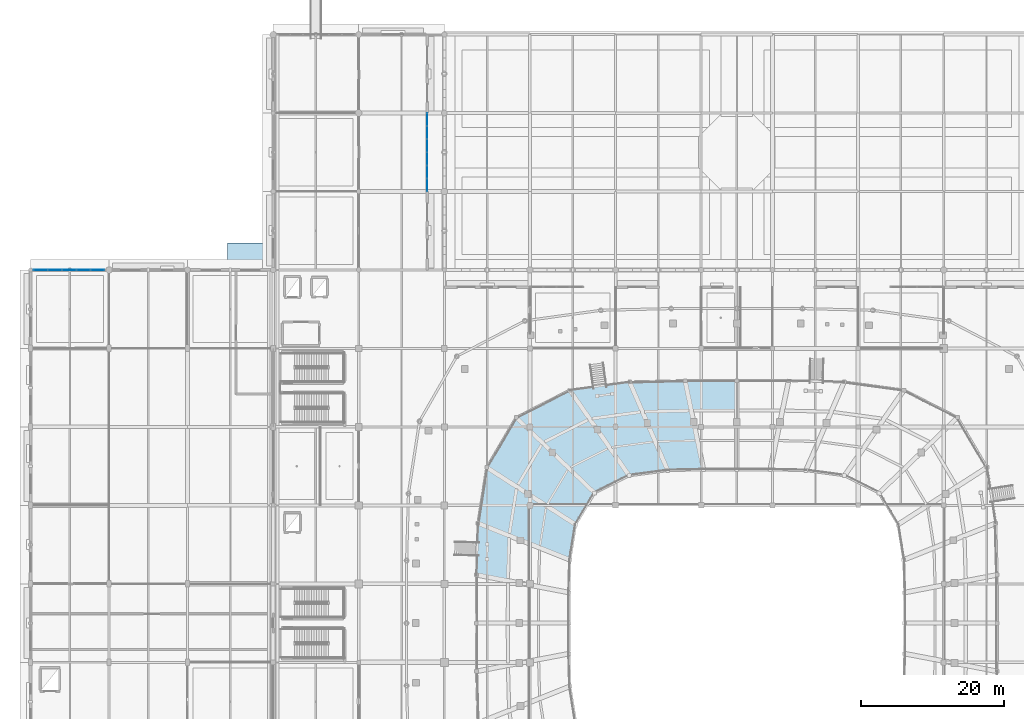
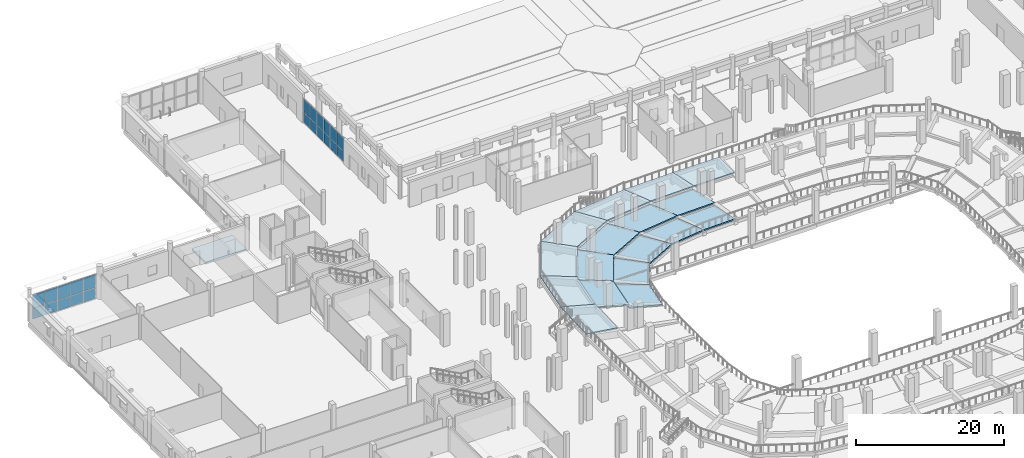
# One storey, part 45 of 120: 22 plates, 18 slabs, 2 elements without a shape of their own.
"""IFC4 building model written with IfcOpenShell, lengths in metres."""

import ifcopenshell
import ifcopenshell.guid

model = None  # the IFC model being written
_history = None  # IfcOwnerHistory: only IFC2X3 demands one
_inside = {}  # id of a spatial element -> (the spatial element, [elements in it])
_under = {}  # id of a project, library or spatial element -> (it, [spatial elements below it])
_declared = {}  # id of a project -> (the project, [libraries it declares])
_typed = {}  # id of a type object -> (the type object, [elements of that type])
_made_of = {}  # id of a material, layer set ... -> (it, [elements and type objects made of it])


def new_model(schema):
    """Start an empty IFC model of exactly this schema.

    Asked for "IFC4X3", IfcOpenShell would pick the latest addendum, in which some entities
    have other attributes; the version numbers below select the first issue.
    IFC2X3 requires an IfcOwnerHistory on every rooted entity: one is made here for all.
    """
    global model, _history
    if schema == "IFC4X3":
        model = ifcopenshell.file(schema_version=(4, 3, 0, 0))
    else:
        model = ifcopenshell.file(schema=schema)
    _inside.clear()
    _under.clear()
    _declared.clear()
    _typed.clear()
    _made_of.clear()
    _history = None
    if model.schema == "IFC2X3":
        org = make("IfcOrganization", Name="unknown")
        user = make(
            "IfcPersonAndOrganization",
            ThePerson=make("IfcPerson", FamilyName="unknown"),
            TheOrganization=org,
        )
        app = make(
            "IfcApplication",
            ApplicationDeveloper=org,
            Version="unknown",
            ApplicationFullName="unknown",
            ApplicationIdentifier="unknown",
        )
        _history = make(
            "IfcOwnerHistory",
            OwningUser=user,
            OwningApplication=app,
            ChangeAction="ADDED",
            CreationDate=0,
        )
    return model


def make(cls, **values):
    """One entity of the class cls with the attributes given. An attribute that is None is left unset."""
    return model.create_entity(
        cls, **{name: value for name, value in values.items() if value is not None}
    )


def rooted(cls, **values):
    """An entity with a GlobalId (a new one), such as an element, a storey or a relation."""
    return make(cls, GlobalId=ifcopenshell.guid.new(), OwnerHistory=_history, **values)


def si_unit(unit_type, name, prefix=None):
    """IfcSIUnit, for example si_unit("LENGTHUNIT", "METRE", prefix="MILLI")."""
    return make("IfcSIUnit", UnitType=unit_type, Prefix=prefix, Name=name)


def assignment(units):
    """IfcUnitAssignment: the units of a project."""
    return None if units is None else make("IfcUnitAssignment", Units=units)


def point(xyz):
    """IfcCartesianPoint."""
    return None if xyz is None else make("IfcCartesianPoint", Coordinates=xyz)


def direction(xyz):
    """IfcDirection."""
    return None if xyz is None else make("IfcDirection", DirectionRatios=xyz)


def frame(location, z_axis=None, x_axis=None):
    """IfcAxis2Placement3D, a coordinate frame: its origin and axes. An axis left out is left unset."""
    return make(
        "IfcAxis2Placement3D",
        Location=point(location),
        Axis=direction(z_axis),
        RefDirection=direction(x_axis),
    )


def frame_2d(location, x_axis=None):
    """IfcAxis2Placement2D, a coordinate frame in the plane: its origin and x axis."""
    return make(
        "IfcAxis2Placement2D", Location=point(location), RefDirection=direction(x_axis)
    )


def origin():
    """The frame at (0, 0, 0) with its axes left unset."""
    return frame((0.0, 0.0, 0.0))


def origin_2d():
    """The frame at (0, 0) in the plane with its x axis left unset."""
    return frame_2d((0.0, 0.0))


def place(relative_to, where):
    """IfcLocalPlacement: puts the frame where relative to a parent placement (None: the world)."""
    return make(
        "IfcLocalPlacement", PlacementRelTo=relative_to, RelativePlacement=where
    )


def context(
    kind, dimensions, precision=None, world=None, true_north=None, identifier=None
):
    """IfcGeometricRepresentationContext, for example the 3D "Model" context."""
    return make(
        "IfcGeometricRepresentationContext",
        ContextIdentifier=identifier,
        ContextType=kind,
        CoordinateSpaceDimension=dimensions,
        Precision=precision,
        WorldCoordinateSystem=world,
        TrueNorth=true_north,
    )


def subcontext(parent, identifier, kind, view, scale=None):
    """IfcGeometricRepresentationSubContext, for example "Body" below "Model"."""
    return make(
        "IfcGeometricRepresentationSubContext",
        ContextIdentifier=identifier,
        ContextType=kind,
        ParentContext=parent,
        TargetScale=scale,
        TargetView=view,
    )


def project(units=None, contexts=None):
    """IfcProject with its units and contexts."""
    return rooted(
        "IfcProject",
        Name="project",
        RepresentationContexts=contexts,
        UnitsInContext=assignment(units),
    )


def spatial(cls, under=None, at=None, **own):
    """A site, building, storey or space (cls), placed at a placement, below another one or the project."""
    s = rooted(cls, ObjectPlacement=at, **own)
    if under is not None:
        _under.setdefault(under.id(), (under, []))[1].append(s)
    return s


def polyline(points):
    """IfcPolyline through the points."""
    return make("IfcPolyline", Points=[point(p) for p in points])


def profile(cls, at=None, kind="AREA", **sizes):
    """A parametric profile (cls). Its sizes go by their IFC names, for example OverallWidth=200.0."""
    return make(cls, ProfileType=kind, Position=at, **sizes)


def rectangle(**sizes):
    """IfcRectangleProfileDef."""
    return profile("IfcRectangleProfileDef", **sizes)


def outline(outer, holes=None, kind="AREA"):
    """IfcArbitraryClosedProfileDef: a profile drawn as a closed curve; with holes, ...WithVoids."""
    if holes is None:
        return make("IfcArbitraryClosedProfileDef", ProfileType=kind, OuterCurve=outer)
    return make(
        "IfcArbitraryProfileDefWithVoids",
        ProfileType=kind,
        OuterCurve=outer,
        InnerCurves=holes,
    )


def extrude(swept, where, along, depth):
    """IfcExtrudedAreaSolid: the profile swept, set in the frame where, extruded along a direction by depth."""
    return make(
        "IfcExtrudedAreaSolid",
        SweptArea=swept,
        Position=where,
        ExtrudedDirection=direction(along),
        Depth=depth,
    )


def shape(context_of_items, identifier, shape_type, items):
    """IfcShapeRepresentation: the items that make up one representation, for example the "Body"."""
    return make(
        "IfcShapeRepresentation",
        ContextOfItems=context_of_items,
        RepresentationIdentifier=identifier,
        RepresentationType=shape_type,
        Items=items,
    )


def material(Name=None, Category=None):
    """IfcMaterial."""
    return make("IfcMaterial", Name=Name, Category=Category)


def layer(
    of_material, thickness, ventilated=None, Name=None, Category=None, Priority=None
):
    """IfcMaterialLayer: one layer of a wall or slab, of a material (None: an air gap)."""
    return make(
        "IfcMaterialLayer",
        Material=of_material,
        LayerThickness=thickness,
        IsVentilated=ventilated,
        Name=Name,
        Category=Category,
        Priority=Priority,
    )


def layer_set(layers, Name=None):
    """IfcMaterialLayerSet."""
    return make("IfcMaterialLayerSet", MaterialLayers=layers, LayerSetName=Name)


def made_of(thing, what):
    """Note that an element or type object is made of a material, layer set ...; save() writes the relation."""
    if what is not None:
        _made_of.setdefault(what.id(), (what, []))[1].append(thing)
    return thing


def type_object(cls, material=None, **own):
    """A type object (cls), such as IfcWallType, which elements share."""
    return made_of(rooted(cls, **own), material)


def element(
    cls,
    number,
    at=None,
    inside=None,
    cuts=None,
    type_object=None,
    material=None,
    context=None,
    identifier="Body",
    shape_type=None,
    held_by="IfcProductDefinitionShape",
    body=None,
    shapes=None,
    **own,
):
    """One element of the class cls, such as IfcWall. Its Tag is "e" and its number.

    at: its placement. inside: the storey or other place that contains it. cuts: it is an
    opening in that element (IfcRelVoidsElement). A single representation is given by context,
    identifier, shape_type and body (its items); several are given by shapes. held_by: the class
    of the entity that holds the representations. save() writes the other relations.
    """
    e = rooted(cls, Tag="e%d" % number, ObjectPlacement=at, **own)
    if body is not None:
        shapes = [shape(context, identifier, shape_type, body)]
    if shapes is not None:
        e.Representation = make(held_by, Representations=shapes)
    if inside is not None:
        _inside.setdefault(inside.id(), (inside, []))[1].append(e)
    if cuts is not None:
        rooted(
            "IfcRelVoidsElement", RelatingBuildingElement=cuts, RelatedOpeningElement=e
        )
    if type_object is not None:
        _typed.setdefault(type_object.id(), (type_object, []))[1].append(e)
    return made_of(e, material)


def aggregate(whole, parts):
    """IfcRelAggregates: a whole, such as a stair, and the parts it consists of."""
    return rooted("IfcRelAggregates", RelatingObject=whole, RelatedObjects=parts)


def save(model, path):
    """Write the relations noted so far, then the file.

    IfcRelAggregates (storeys below a building ...), IfcRelContainedInSpatialStructure (elements
    in a storey), IfcRelDefinesByType, IfcRelAssociatesMaterial and IfcRelDeclares: one each for
    every whole, place, type object, material and project.
    """
    for whole, parts in _under.values():
        aggregate(whole, parts)
    for where, things in _inside.values():
        rooted(
            "IfcRelContainedInSpatialStructure",
            RelatedElements=things,
            RelatingStructure=where,
        )
    for kind, things in _typed.values():
        rooted("IfcRelDefinesByType", RelatedObjects=things, RelatingType=kind)
    for what, things in _made_of.values():
        rooted("IfcRelAssociatesMaterial", RelatedObjects=things, RelatingMaterial=what)
    for by, libraries in _declared.values():
        rooted("IfcRelDeclares", RelatingContext=by, RelatedDefinitions=libraries)
    model.write(path)


model = new_model("IFC4")

# Units and contexts
model_context = context("Model", 3, precision=1e-05, world=origin(), true_north=direction((0.0, 1.0)))
body_context = subcontext(model_context, "Body", "Model", "MODEL_VIEW")
ifc_project = project(units=[si_unit("LENGTHUNIT", "METRE"), si_unit("AREAUNIT", "SQUARE_METRE"), si_unit("VOLUMEUNIT", "CUBIC_METRE"), si_unit("PLANEANGLEUNIT", "RADIAN"), si_unit("MASSUNIT", "GRAM", prefix="KILO")], contexts=[model_context])

# Site, building, storey
site_placement = place(None, origin())
site = spatial("IfcSite", under=ifc_project, at=site_placement, CompositionType="ELEMENT")
building_placement = place(site_placement, origin())
building = spatial("IfcBuilding", under=site, at=building_placement, Name="Luwafu Chhajja Arena", CompositionType="ELEMENT")
storey_placement = place(building_placement, origin())
storey = spatial("IfcBuildingStorey", under=building, at=storey_placement, Name="L00", CompositionType="ELEMENT", Elevation=0.0)

# Curtain wall, plates
ifc_material_1 = material(Name="Anodised bronze aluminium", Category="aluminium")
curtain_wall_type_1 = type_object("IfcCurtainWallType", Name="VIP Club Terrace Curtain Wall", PredefinedType="USERDEFINED", material=ifc_material_1)
curtain_wall_1_placement = place(storey_placement, origin())
curtain_wall_1 = element("IfcCurtainWall", 1, at=curtain_wall_1_placement, inside=storey, type_object=curtain_wall_type_1, Name="L00 Curtain Wall CWG-L00-H00_09", ObjectType="CURTAIN WALL", PredefinedType="USERDEFINED")
ifc_material_2 = material(Name="Solar-control laminated glass", Category="glass")
ifc_layer_1 = layer(ifc_material_2, 0.035888671875, Name="Solar-control laminated glass")
ifc_layer_set_1 = layer_set([ifc_layer_1], Name="Solar-control laminated glass")
plate_type_1 = type_object("IfcPlateType", Name="Acoustic Broadcast Double Glazed CW Panel 36", PredefinedType="CURTAIN_PANEL", material=ifc_layer_set_1)
plate_1_placement = place(storey_placement, frame((1.4306640625, 99.0, 0.09521484375), z_axis=(0.0, 0.0, 1.0), x_axis=(1.0, 0.0, 0.0)))
plate_1 = element("IfcPlate", 2, at=plate_1_placement, type_object=plate_type_1, Name="CW-10 panel 1.1", PredefinedType="CURTAIN_PANEL", context=body_context, shape_type="SweptSolid", body=[
    extrude(rectangle(XDim=1.901611328125, YDim=0.035888671875, at=origin_2d()), origin(), (0.0, 0.0, 1.0), 1.739990234375),
])
plate_2_placement = place(storey_placement, frame((1.4306640625, 99.0, 1.89990234375), z_axis=(0.0, 0.0, 1.0), x_axis=(1.0, 0.0, 0.0)))
plate_2 = element("IfcPlate", 3, at=plate_2_placement, type_object=plate_type_1, Name="CW-10 panel 1.2", PredefinedType="CURTAIN_PANEL", context=body_context, shape_type="SweptSolid", body=[
    extrude(rectangle(XDim=1.901611328125, YDim=0.035888671875, at=origin_2d()), origin(), (0.0, 0.0, 1.0), 2.18505859375),
])
plate_3_placement = place(storey_placement, frame((3.41357421875, 99.0, 0.09521484375), z_axis=(0.0, 0.0, 1.0), x_axis=(1.0, 0.0, 0.0)))
plate_3 = element("IfcPlate", 4, at=plate_3_placement, type_object=plate_type_1, Name="CW-10 panel 2.1", PredefinedType="CURTAIN_PANEL", context=body_context, shape_type="SweptSolid", body=[
    extrude(rectangle(XDim=1.93408203125, YDim=0.035888671875, at=origin_2d()), origin(), (0.0, 0.0, 1.0), 1.739990234375),
])
plate_4_placement = place(storey_placement, frame((3.41357421875, 99.0, 1.89990234375), z_axis=(0.0, 0.0, 1.0), x_axis=(1.0, 0.0, 0.0)))
plate_4 = element("IfcPlate", 5, at=plate_4_placement, type_object=plate_type_1, Name="CW-10 panel 2.2", PredefinedType="CURTAIN_PANEL", context=body_context, shape_type="SweptSolid", body=[
    extrude(rectangle(XDim=1.93408203125, YDim=0.035888671875, at=origin_2d()), origin(), (0.0, 0.0, 1.0), 2.18505859375),
])
plate_5_placement = place(storey_placement, frame((5.41259765625, 99.0, 0.09521484375), z_axis=(0.0, 0.0, 1.0), x_axis=(1.0, 0.0, 0.0)))
plate_5 = element("IfcPlate", 6, at=plate_5_placement, type_object=plate_type_1, Name="CW-10 panel 3.1", PredefinedType="CURTAIN_PANEL", context=body_context, shape_type="SweptSolid", body=[
    extrude(rectangle(XDim=1.93408203125, YDim=0.035888671875, at=origin_2d()), origin(), (0.0, 0.0, 1.0), 1.739990234375),
])
plate_6_placement = place(storey_placement, frame((5.41259765625, 99.0, 1.89990234375), z_axis=(0.0, 0.0, 1.0), x_axis=(1.0, 0.0, 0.0)))
plate_6 = element("IfcPlate", 7, at=plate_6_placement, type_object=plate_type_1, Name="CW-10 panel 3.2", PredefinedType="CURTAIN_PANEL", context=body_context, shape_type="SweptSolid", body=[
    extrude(rectangle(XDim=1.93408203125, YDim=0.035888671875, at=origin_2d()), origin(), (0.0, 0.0, 1.0), 2.18505859375),
])
plate_7_placement = place(storey_placement, frame((7.41162109375, 99.0, 0.09521484375), z_axis=(0.0, 0.0, 1.0), x_axis=(1.0, 0.0, 0.0)))
plate_7 = element("IfcPlate", 8, at=plate_7_placement, type_object=plate_type_1, Name="CW-10 panel 4.1", PredefinedType="CURTAIN_PANEL", context=body_context, shape_type="SweptSolid", body=[
    extrude(rectangle(XDim=1.93408203125, YDim=0.035888671875, at=origin_2d()), origin(), (0.0, 0.0, 1.0), 1.739990234375),
])
plate_8_placement = place(storey_placement, frame((7.41162109375, 99.0, 1.89990234375), z_axis=(0.0, 0.0, 1.0), x_axis=(1.0, 0.0, 0.0)))
plate_8 = element("IfcPlate", 9, at=plate_8_placement, type_object=plate_type_1, Name="CW-10 panel 4.2", PredefinedType="CURTAIN_PANEL", context=body_context, shape_type="SweptSolid", body=[
    extrude(rectangle(XDim=1.93408203125, YDim=0.035888671875, at=origin_2d()), origin(), (0.0, 0.0, 1.0), 2.18505859375),
])
plate_9_placement = place(storey_placement, frame((9.394287109375, 99.0, 0.09521484375), z_axis=(0.0, 0.0, 1.0), x_axis=(1.0, 0.0, 0.0)))
plate_9 = element("IfcPlate", 10, at=plate_9_placement, type_object=plate_type_1, Name="CW-10 panel 5.1", PredefinedType="CURTAIN_PANEL", context=body_context, shape_type="SweptSolid", body=[
    extrude(rectangle(XDim=1.901611328125, YDim=0.035888671875, at=origin_2d()), origin(), (0.0, 0.0, 1.0), 1.739990234375),
])
plate_10_placement = place(storey_placement, frame((9.394287109375, 99.0, 1.89990234375), z_axis=(0.0, 0.0, 1.0), x_axis=(1.0, 0.0, 0.0)))
plate_10 = element("IfcPlate", 11, at=plate_10_placement, type_object=plate_type_1, Name="CW-10 panel 5.2", PredefinedType="CURTAIN_PANEL", context=body_context, shape_type="SweptSolid", body=[
    extrude(rectangle(XDim=1.901611328125, YDim=0.035888671875, at=origin_2d()), origin(), (0.0, 0.0, 1.0), 2.18505859375),
])
aggregate(curtain_wall_1, [plate_1, plate_2, plate_3, plate_4, plate_5, plate_6, plate_7, plate_8, plate_9, plate_10])

# Slabs
ifc_material_3 = material(Name="Precast concrete C40/50", Category="concrete")
ifc_layer_2 = layer(ifc_material_3, 0.219970703125, Name="Precast concrete C40/50")
ifc_layer_set_2 = layer_set([ifc_layer_2], Name="Precast concrete C40/50")
slab_type_1 = type_object("IfcSlabType", Name="Precast Lower Seating Tier Slab 220", PredefinedType="USERDEFINED", material=ifc_layer_set_2)
slab_1_placement = place(storey_placement, frame((0.0, 0.0, 1.6298828125)))
element("IfcSlab", 12, at=slab_1_placement, inside=storey, type_object=slab_type_1, Name="Stand Lower Tier Sector 09 Row Band 3", ObjectType="SEATING TIER", PredefinedType="USERDEFINED", context=body_context, shape_type="SweptSolid", body=[
    extrude(outline(polyline([(99.0, 79.300048828125), (92.61669921875, 79.2919921875), (91.74169921875, 83.49072265625), (99.0, 83.5), (99.0, 79.300048828125)])), origin(), (0.0, 0.0, 1.0), 0.22021484375),
])
slab_2_placement = place(storey_placement, frame((0.0, 0.0, 0.6298828125)))
element("IfcSlab", 13, at=slab_2_placement, inside=storey, type_object=slab_type_1, Name="Stand Lower Tier Sector 10 Row Band 1", ObjectType="SEATING TIER", PredefinedType="USERDEFINED", context=body_context, shape_type="SweptSolid", body=[
    extrude(outline(polyline([(94.326904296875, 70.994140625), (89.322265625, 70.87548828125), (87.551513671875, 74.951904296875), (93.4716796875, 75.093017578125), (94.326904296875, 70.994140625)])), origin(), (0.0, 0.0, 1.0), 0.22021484375),
])
slab_3_placement = place(storey_placement, frame((0.0, 0.0, 1.1298828125)))
element("IfcSlab", 14, at=slab_3_placement, inside=storey, type_object=slab_type_1, Name="Stand Lower Tier Sector 10 Row Band 2", ObjectType="SEATING TIER", PredefinedType="USERDEFINED", context=body_context, shape_type="SweptSolid", body=[
    extrude(outline(polyline([(93.4716796875, 75.093017578125), (87.551513671875, 74.951904296875), (85.78076171875, 79.12744140625), (92.61669921875, 79.2919921875), (93.4716796875, 75.093017578125)])), origin(), (0.0, 0.0, 1.0), 0.22021484375),
])
slab_4_placement = place(storey_placement, frame((0.0, 0.0, 1.6298828125)))
element("IfcSlab", 15, at=slab_4_placement, inside=storey, type_object=slab_type_1, Name="Stand Lower Tier Sector 10 Row Band 3", ObjectType="SEATING TIER", PredefinedType="USERDEFINED", context=body_context, shape_type="SweptSolid", body=[
    extrude(outline(polyline([(92.61669921875, 79.2919921875), (85.78076171875, 79.12744140625), (83.96875, 83.30322265625), (91.74169921875, 83.49072265625), (92.61669921875, 79.2919921875)])), origin(), (0.0, 0.0, 1.0), 0.22021484375),
])
slab_5_placement = place(storey_placement, frame((0.0, 0.0, 0.6298828125)))
element("IfcSlab", 16, at=slab_5_placement, inside=storey, type_object=slab_type_1, Name="Stand Lower Tier Sector 11 Row Band 1", ObjectType="SEATING TIER", PredefinedType="USERDEFINED", context=body_context, shape_type="SweptSolid", body=[
    extrude(outline(polyline([(89.322265625, 70.87548828125), (83.91650390625, 70.153076171875), (81.156494140625, 74.091552734375), (87.551513671875, 74.951904296875), (89.322265625, 70.87548828125)])), origin(), (0.0, 0.0, 1.0), 0.22021484375),
])
slab_6_placement = place(storey_placement, frame((0.0, 0.0, 1.1298828125)))
element("IfcSlab", 17, at=slab_6_placement, inside=storey, type_object=slab_type_1, Name="Stand Lower Tier Sector 11 Row Band 2", ObjectType="SEATING TIER", PredefinedType="USERDEFINED", context=body_context, shape_type="SweptSolid", body=[
    extrude(outline(polyline([(87.551513671875, 74.951904296875), (81.156494140625, 74.091552734375), (78.396484375, 78.126220703125), (85.78076171875, 79.12744140625), (87.551513671875, 74.951904296875)])), origin(), (0.0, 0.0, 1.0), 0.22021484375),
])
slab_7_placement = place(storey_placement, frame((0.0, 0.0, 1.6298828125)))
element("IfcSlab", 18, at=slab_7_placement, inside=storey, type_object=slab_type_1, Name="Stand Lower Tier Sector 11 Row Band 3", ObjectType="SEATING TIER", PredefinedType="USERDEFINED", context=body_context, shape_type="SweptSolid", body=[
    extrude(outline(polyline([(85.78076171875, 79.12744140625), (78.396484375, 78.126220703125), (75.572265625, 82.16064453125), (83.96875, 83.30322265625), (85.78076171875, 79.12744140625)])), origin(), (0.0, 0.0, 1.0), 0.22021484375),
])
slab_8_placement = place(storey_placement, frame((0.0, 0.0, 0.6298828125)))
element("IfcSlab", 19, at=slab_8_placement, inside=storey, type_object=slab_type_1, Name="Stand Lower Tier Sector 12 Row Band 1", ObjectType="SEATING TIER", PredefinedType="USERDEFINED", context=body_context, shape_type="SweptSolid", body=[
    extrude(outline(polyline([(83.91650390625, 70.153076171875), (79.0751953125, 67.72900390625), (75.429443359375, 71.205322265625), (81.156494140625, 74.091552734375), (83.91650390625, 70.153076171875)])), origin(), (0.0, 0.0, 1.0), 0.22021484375),
])
slab_9_placement = place(storey_placement, frame((0.0, 0.0, 1.1298828125)))
element("IfcSlab", 20, at=slab_9_placement, inside=storey, type_object=slab_type_1, Name="Stand Lower Tier Sector 12 Row Band 2", ObjectType="SEATING TIER", PredefinedType="USERDEFINED", context=body_context, shape_type="SweptSolid", body=[
    extrude(outline(polyline([(81.156494140625, 74.091552734375), (75.429443359375, 71.205322265625), (71.78369140625, 74.766357421875), (78.396484375, 78.126220703125), (81.156494140625, 74.091552734375)])), origin(), (0.0, 0.0, 1.0), 0.22021484375),
])
slab_10_placement = place(storey_placement, frame((0.0, 0.0, 1.6298828125)))
element("IfcSlab", 21, at=slab_10_placement, inside=storey, type_object=slab_type_1, Name="Stand Lower Tier Sector 12 Row Band 3", ObjectType="SEATING TIER", PredefinedType="USERDEFINED", context=body_context, shape_type="SweptSolid", body=[
    extrude(outline(polyline([(78.396484375, 78.126220703125), (71.78369140625, 74.766357421875), (68.052978515625, 78.327392578125), (75.572265625, 82.16064453125), (78.396484375, 78.126220703125)])), origin(), (0.0, 0.0, 1.0), 0.22021484375),
])
slab_11_placement = place(storey_placement, frame((0.0, 0.0, 0.6298828125)))
element("IfcSlab", 22, at=slab_11_placement, inside=storey, type_object=slab_type_1, Name="Stand Lower Tier Sector 13 Row Band 1", ObjectType="SEATING TIER", PredefinedType="USERDEFINED", context=body_context, shape_type="SweptSolid", body=[
    extrude(outline(polyline([(79.0751953125, 67.72900390625), (76.42578125, 63.2998046875), (72.295166015625, 65.931396484375), (75.429443359375, 71.205322265625), (79.0751953125, 67.72900390625)])), origin(), (0.0, 0.0, 1.0), 0.22021484375),
])
slab_12_placement = place(storey_placement, frame((0.0, 0.0, 1.1298828125)))
element("IfcSlab", 23, at=slab_12_placement, inside=storey, type_object=slab_type_1, Name="Stand Lower Tier Sector 13 Row Band 2", ObjectType="SEATING TIER", PredefinedType="USERDEFINED", context=body_context, shape_type="SweptSolid", body=[
    extrude(outline(polyline([(75.429443359375, 71.205322265625), (72.295166015625, 65.931396484375), (68.16455078125, 68.627197265625), (71.78369140625, 74.766357421875), (75.429443359375, 71.205322265625)])), origin(), (0.0, 0.0, 1.0), 0.22021484375),
])
slab_13_placement = place(storey_placement, frame((0.0, 0.0, 1.6298828125)))
element("IfcSlab", 24, at=slab_13_placement, inside=storey, type_object=slab_type_1, Name="Stand Lower Tier Sector 13 Row Band 3", ObjectType="SEATING TIER", PredefinedType="USERDEFINED", context=body_context, shape_type="SweptSolid", body=[
    extrude(outline(polyline([(71.78369140625, 74.766357421875), (68.16455078125, 68.627197265625), (63.93798828125, 71.322998046875), (68.052978515625, 78.327392578125), (71.78369140625, 74.766357421875)])), origin(), (0.0, 0.0, 1.0), 0.22021484375),
])
slab_14_placement = place(storey_placement, frame((0.0, 0.0, 0.6298828125)))
element("IfcSlab", 25, at=slab_14_placement, inside=storey, type_object=slab_type_1, Name="Stand Lower Tier Sector 14 Row Band 1", ObjectType="SEATING TIER", PredefinedType="USERDEFINED", context=body_context, shape_type="SweptSolid", body=[
    extrude(outline(polyline([(76.42578125, 63.2998046875), (75.635986328125, 58.35400390625), (71.36083984375, 60.04248046875), (72.295166015625, 65.931396484375), (76.42578125, 63.2998046875)])), origin(), (0.0, 0.0, 1.0), 0.22021484375),
])
slab_15_placement = place(storey_placement, frame((0.0, 0.0, 1.1298828125)))
element("IfcSlab", 26, at=slab_15_placement, inside=storey, type_object=slab_type_1, Name="Stand Lower Tier Sector 14 Row Band 2", ObjectType="SEATING TIER", PredefinedType="USERDEFINED", context=body_context, shape_type="SweptSolid", body=[
    extrude(outline(polyline([(72.295166015625, 65.931396484375), (71.36083984375, 60.04248046875), (67.085693359375, 61.772216796875), (68.16455078125, 68.627197265625), (72.295166015625, 65.931396484375)])), origin(), (0.0, 0.0, 1.0), 0.22021484375),
])
slab_16_placement = place(storey_placement, frame((0.0, 0.0, 1.6298828125)))
element("IfcSlab", 27, at=slab_16_placement, inside=storey, type_object=slab_type_1, Name="Stand Lower Tier Sector 14 Row Band 3", ObjectType="SEATING TIER", PredefinedType="USERDEFINED", context=body_context, shape_type="SweptSolid", body=[
    extrude(outline(polyline([(68.16455078125, 68.627197265625), (67.085693359375, 61.772216796875), (62.711181640625, 63.501708984375), (63.93798828125, 71.322998046875), (68.16455078125, 68.627197265625)])), origin(), (0.0, 0.0, 1.0), 0.22021484375),
])
slab_17_placement = place(storey_placement, frame((0.0, 0.0, 1.6298828125)))
element("IfcSlab", 28, at=slab_17_placement, inside=storey, type_object=slab_type_1, Name="Stand Lower Tier Sector 15 Row Band 3", ObjectType="SEATING TIER", PredefinedType="USERDEFINED", context=body_context, shape_type="SweptSolid", body=[
    extrude(outline(polyline([(67.085693359375, 61.772216796875), (66.90869140625, 55.426025390625), (62.509765625, 56.26123046875), (62.711181640625, 63.501708984375), (67.085693359375, 61.772216796875)])), origin(), (0.0, 0.0, 1.0), 0.22021484375),
])
ifc_material_4 = material(Name="Concrete C35/45", Category="concrete")
ifc_layer_3 = layer(ifc_material_4, 0.35009765625, Name="Concrete C35/45")
ifc_layer_set_3 = layer_set([ifc_layer_3], Name="Concrete C35/45")
slab_type_2 = type_object("IfcSlabType", Name="Service Apron Paving Slab 350", PredefinedType="BASESLAB", material=ifc_layer_set_3)
slab_18_placement = place(storey_placement, frame((0.0, 0.0, -0.35009765625)))
element("IfcSlab", 29, at=slab_18_placement, inside=storey, type_object=slab_type_2, Name="L00 Stair Final Exit Discharge Apron NWC", PredefinedType="BASESLAB", context=body_context, shape_type="SweptSolid", body=[
    extrude(outline(polyline([(27.60009765625, 99.0), (34.0, 99.0), (34.0, 102.800048828125), (27.60009765625, 102.800048828125), (27.60009765625, 99.0)])), origin(), (0.0, 0.0, 1.0), 0.35009765625),
])

# Curtain wall, plates
curtain_wall_type_2 = type_object("IfcCurtainWallType", Name="Pavilion Cafe Glazed Curtain Wall", PredefinedType="USERDEFINED", material=ifc_material_1)
curtain_wall_2_placement = place(storey_placement, origin())
curtain_wall_2 = element("IfcCurtainWall", 30, at=curtain_wall_2_placement, inside=storey, type_object=curtain_wall_type_2, Name="L00 Curtain Wall CWG-L00-V05_10", ObjectType="CURTAIN WALL", PredefinedType="USERDEFINED")
ifc_layer_4 = layer(ifc_material_2, 0.028076171875, Name="Solar-control laminated glass")
ifc_layer_set_4 = layer_set([ifc_layer_4], Name="Solar-control laminated glass")
plate_type_2 = type_object("IfcPlateType", Name="Solar Control Double Glazed CW Panel 28", PredefinedType="CURTAIN_PANEL", material=ifc_layer_set_4)
plate_11_placement = place(storey_placement, frame((55.60009765625, 110.932861328125, 0.09521484375), z_axis=(0.0, 0.0, 1.0), x_axis=(0.0, 1.0, 0.0)))
plate_11 = element("IfcPlate", 31, at=plate_11_placement, type_object=plate_type_2, Name="CW-07 panel 1.1", PredefinedType="CURTAIN_PANEL", context=body_context, shape_type="SweptSolid", body=[
    extrude(rectangle(XDim=1.73583984375, YDim=0.028076171875, at=origin_2d()), origin(), (0.0, 0.0, 1.0), 1.717529296875),
])
plate_12_placement = place(storey_placement, frame((55.60009765625, 110.932861328125, 1.87744140625), z_axis=(0.0, 0.0, 1.0), x_axis=(0.0, 1.0, 0.0)))
plate_12 = element("IfcPlate", 32, at=plate_12_placement, type_object=plate_type_2, Name="CW-07 panel 1.2", PredefinedType="CURTAIN_PANEL", context=body_context, shape_type="SweptSolid", body=[
    extrude(rectangle(XDim=1.73583984375, YDim=0.028076171875, at=origin_2d()), origin(), (0.0, 0.0, 1.0), 2.157470703125),
])
plate_13_placement = place(storey_placement, frame((55.60009765625, 112.75, 0.09521484375), z_axis=(0.0, 0.0, 1.0), x_axis=(0.0, 1.0, 0.0)))
plate_13 = element("IfcPlate", 33, at=plate_13_placement, type_object=plate_type_2, Name="CW-07 panel 2.1", PredefinedType="CURTAIN_PANEL", context=body_context, shape_type="SweptSolid", body=[
    extrude(rectangle(XDim=1.768310546875, YDim=0.028076171875, at=origin_2d()), origin(), (0.0, 0.0, 1.0), 1.717529296875),
])
plate_14_placement = place(storey_placement, frame((55.60009765625, 112.75, 1.87744140625), z_axis=(0.0, 0.0, 1.0), x_axis=(0.0, 1.0, 0.0)))
plate_14 = element("IfcPlate", 34, at=plate_14_placement, type_object=plate_type_2, Name="CW-07 panel 2.2", PredefinedType="CURTAIN_PANEL", context=body_context, shape_type="SweptSolid", body=[
    extrude(rectangle(XDim=1.768310546875, YDim=0.028076171875, at=origin_2d()), origin(), (0.0, 0.0, 1.0), 2.157470703125),
])
plate_15_placement = place(storey_placement, frame((55.60009765625, 114.583251953125, 0.09521484375), z_axis=(0.0, 0.0, 1.0), x_axis=(0.0, 1.0, 0.0)))
plate_15 = element("IfcPlate", 35, at=plate_15_placement, type_object=plate_type_2, Name="CW-07 panel 3.1", PredefinedType="CURTAIN_PANEL", context=body_context, shape_type="SweptSolid", body=[
    extrude(rectangle(XDim=1.768310546875, YDim=0.028076171875, at=origin_2d()), origin(), (0.0, 0.0, 1.0), 1.717529296875),
])
plate_16_placement = place(storey_placement, frame((55.60009765625, 114.583251953125, 1.87744140625), z_axis=(0.0, 0.0, 1.0), x_axis=(0.0, 1.0, 0.0)))
plate_16 = element("IfcPlate", 36, at=plate_16_placement, type_object=plate_type_2, Name="CW-07 panel 3.2", PredefinedType="CURTAIN_PANEL", context=body_context, shape_type="SweptSolid", body=[
    extrude(rectangle(XDim=1.768310546875, YDim=0.028076171875, at=origin_2d()), origin(), (0.0, 0.0, 1.0), 2.157470703125),
])
plate_17_placement = place(storey_placement, frame((55.60009765625, 116.416748046875, 0.09521484375), z_axis=(0.0, 0.0, 1.0), x_axis=(0.0, 1.0, 0.0)))
plate_17 = element("IfcPlate", 37, at=plate_17_placement, type_object=plate_type_2, Name="CW-07 panel 4.1", PredefinedType="CURTAIN_PANEL", context=body_context, shape_type="SweptSolid", body=[
    extrude(rectangle(XDim=1.768310546875, YDim=0.028076171875, at=origin_2d()), origin(), (0.0, 0.0, 1.0), 1.717529296875),
])
plate_18_placement = place(storey_placement, frame((55.60009765625, 116.416748046875, 1.87744140625), z_axis=(0.0, 0.0, 1.0), x_axis=(0.0, 1.0, 0.0)))
plate_18 = element("IfcPlate", 38, at=plate_18_placement, type_object=plate_type_2, Name="CW-07 panel 4.2", PredefinedType="CURTAIN_PANEL", context=body_context, shape_type="SweptSolid", body=[
    extrude(rectangle(XDim=1.768310546875, YDim=0.028076171875, at=origin_2d()), origin(), (0.0, 0.0, 1.0), 2.157470703125),
])
plate_19_placement = place(storey_placement, frame((55.60009765625, 118.25, 0.09521484375), z_axis=(0.0, 0.0, 1.0), x_axis=(0.0, 1.0, 0.0)))
plate_19 = element("IfcPlate", 39, at=plate_19_placement, type_object=plate_type_2, Name="CW-07 panel 5.1", PredefinedType="CURTAIN_PANEL", context=body_context, shape_type="SweptSolid", body=[
    extrude(rectangle(XDim=1.768310546875, YDim=0.028076171875, at=origin_2d()), origin(), (0.0, 0.0, 1.0), 1.717529296875),
])
plate_20_placement = place(storey_placement, frame((55.60009765625, 118.25, 1.87744140625), z_axis=(0.0, 0.0, 1.0), x_axis=(0.0, 1.0, 0.0)))
plate_20 = element("IfcPlate", 40, at=plate_20_placement, type_object=plate_type_2, Name="CW-07 panel 5.2", PredefinedType="CURTAIN_PANEL", context=body_context, shape_type="SweptSolid", body=[
    extrude(rectangle(XDim=1.768310546875, YDim=0.028076171875, at=origin_2d()), origin(), (0.0, 0.0, 1.0), 2.157470703125),
])
plate_21_placement = place(storey_placement, frame((55.60009765625, 120.067138671875, 0.09521484375), z_axis=(0.0, 0.0, 1.0), x_axis=(0.0, 1.0, 0.0)))
plate_21 = element("IfcPlate", 41, at=plate_21_placement, type_object=plate_type_2, Name="CW-07 panel 6.1", PredefinedType="CURTAIN_PANEL", context=body_context, shape_type="SweptSolid", body=[
    extrude(rectangle(XDim=1.73583984375, YDim=0.028076171875, at=origin_2d()), origin(), (0.0, 0.0, 1.0), 1.717529296875),
])
plate_22_placement = place(storey_placement, frame((55.60009765625, 120.067138671875, 1.87744140625), z_axis=(0.0, 0.0, 1.0), x_axis=(0.0, 1.0, 0.0)))
plate_22 = element("IfcPlate", 42, at=plate_22_placement, type_object=plate_type_2, Name="CW-07 panel 6.2", PredefinedType="CURTAIN_PANEL", context=body_context, shape_type="SweptSolid", body=[
    extrude(rectangle(XDim=1.73583984375, YDim=0.028076171875, at=origin_2d()), origin(), (0.0, 0.0, 1.0), 2.157470703125),
])
aggregate(curtain_wall_2, [plate_11, plate_12, plate_13, plate_14, plate_15, plate_16, plate_17, plate_18, plate_19, plate_20, plate_21, plate_22])

save(model, "model.ifc")
